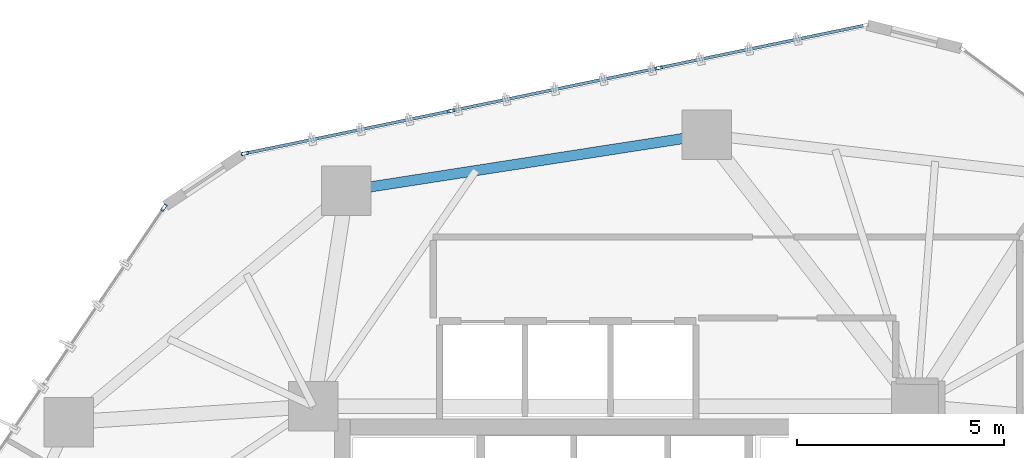
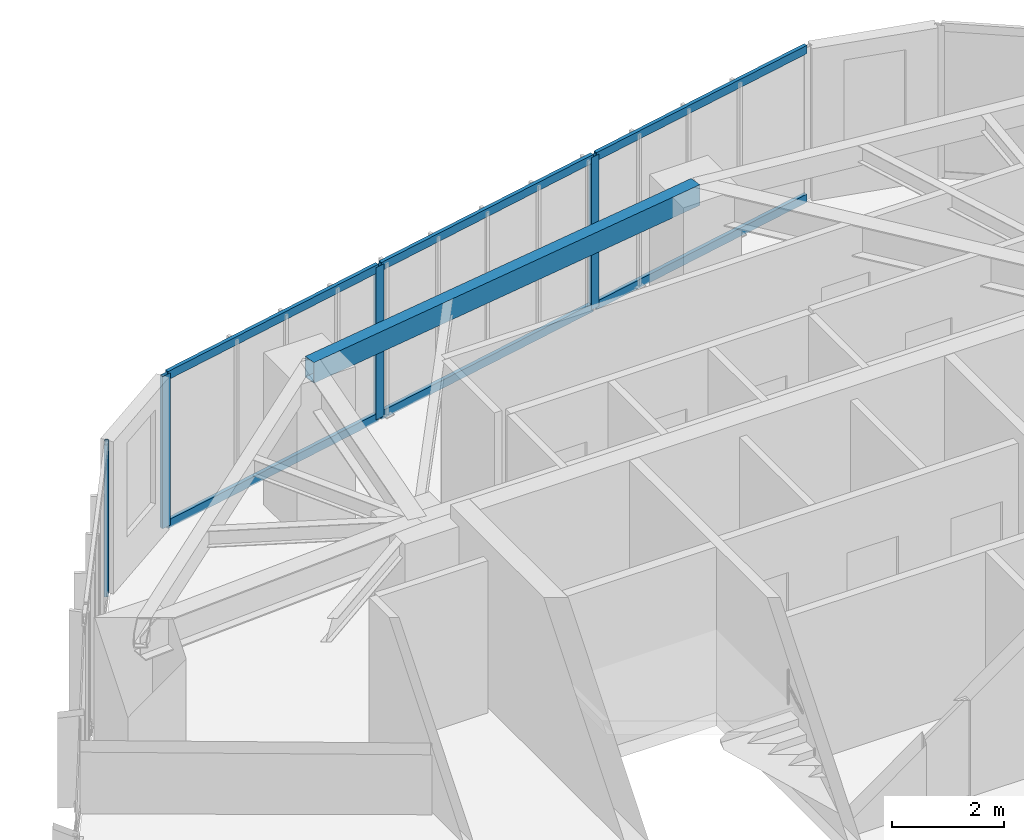
# One storey, part 14 of 22: 10 members, 1 beam, 2 elements without a shape of their own.
"""IFC4 building model written with IfcOpenShell, lengths in metres."""

import ifcopenshell
import ifcopenshell.guid

model = None  # the IFC model being written
_history = None  # IfcOwnerHistory: only IFC2X3 demands one
_inside = {}  # id of a spatial element -> (the spatial element, [elements in it])
_under = {}  # id of a project, library or spatial element -> (it, [spatial elements below it])
_declared = {}  # id of a project -> (the project, [libraries it declares])
_typed = {}  # id of a type object -> (the type object, [elements of that type])
_made_of = {}  # id of a material, layer set ... -> (it, [elements and type objects made of it])


def new_model(schema):
    """Start an empty IFC model of exactly this schema.

    Asked for "IFC4X3", IfcOpenShell would pick the latest addendum, in which some entities
    have other attributes; the version numbers below select the first issue.
    IFC2X3 requires an IfcOwnerHistory on every rooted entity: one is made here for all.
    """
    global model, _history
    if schema == "IFC4X3":
        model = ifcopenshell.file(schema_version=(4, 3, 0, 0))
    else:
        model = ifcopenshell.file(schema=schema)
    _inside.clear()
    _under.clear()
    _declared.clear()
    _typed.clear()
    _made_of.clear()
    _history = None
    if model.schema == "IFC2X3":
        org = make("IfcOrganization", Name="unknown")
        user = make(
            "IfcPersonAndOrganization",
            ThePerson=make("IfcPerson", FamilyName="unknown"),
            TheOrganization=org,
        )
        app = make(
            "IfcApplication",
            ApplicationDeveloper=org,
            Version="unknown",
            ApplicationFullName="unknown",
            ApplicationIdentifier="unknown",
        )
        _history = make(
            "IfcOwnerHistory",
            OwningUser=user,
            OwningApplication=app,
            ChangeAction="ADDED",
            CreationDate=0,
        )
    return model


def make(cls, **values):
    """One entity of the class cls with the attributes given. An attribute that is None is left unset."""
    return model.create_entity(
        cls, **{name: value for name, value in values.items() if value is not None}
    )


def rooted(cls, **values):
    """An entity with a GlobalId (a new one), such as an element, a storey or a relation."""
    return make(cls, GlobalId=ifcopenshell.guid.new(), OwnerHistory=_history, **values)


def si_unit(unit_type, name, prefix=None):
    """IfcSIUnit, for example si_unit("LENGTHUNIT", "METRE", prefix="MILLI")."""
    return make("IfcSIUnit", UnitType=unit_type, Prefix=prefix, Name=name)


def assignment(units):
    """IfcUnitAssignment: the units of a project."""
    return None if units is None else make("IfcUnitAssignment", Units=units)


def point(xyz):
    """IfcCartesianPoint."""
    return None if xyz is None else make("IfcCartesianPoint", Coordinates=xyz)


def direction(xyz):
    """IfcDirection."""
    return None if xyz is None else make("IfcDirection", DirectionRatios=xyz)


def frame(location, z_axis=None, x_axis=None):
    """IfcAxis2Placement3D, a coordinate frame: its origin and axes. An axis left out is left unset."""
    return make(
        "IfcAxis2Placement3D",
        Location=point(location),
        Axis=direction(z_axis),
        RefDirection=direction(x_axis),
    )


def frame_2d(location, x_axis=None):
    """IfcAxis2Placement2D, a coordinate frame in the plane: its origin and x axis."""
    return make(
        "IfcAxis2Placement2D", Location=point(location), RefDirection=direction(x_axis)
    )


def origin():
    """The frame at (0, 0, 0) with its axes left unset."""
    return frame((0.0, 0.0, 0.0))


def origin_2d():
    """The frame at (0, 0) in the plane with its x axis left unset."""
    return frame_2d((0.0, 0.0))


def place(relative_to, where):
    """IfcLocalPlacement: puts the frame where relative to a parent placement (None: the world)."""
    return make(
        "IfcLocalPlacement", PlacementRelTo=relative_to, RelativePlacement=where
    )


def context(
    kind, dimensions, precision=None, world=None, true_north=None, identifier=None
):
    """IfcGeometricRepresentationContext, for example the 3D "Model" context."""
    return make(
        "IfcGeometricRepresentationContext",
        ContextIdentifier=identifier,
        ContextType=kind,
        CoordinateSpaceDimension=dimensions,
        Precision=precision,
        WorldCoordinateSystem=world,
        TrueNorth=true_north,
    )


def subcontext(parent, identifier, kind, view, scale=None):
    """IfcGeometricRepresentationSubContext, for example "Body" below "Model"."""
    return make(
        "IfcGeometricRepresentationSubContext",
        ContextIdentifier=identifier,
        ContextType=kind,
        ParentContext=parent,
        TargetScale=scale,
        TargetView=view,
    )


def project(units=None, contexts=None):
    """IfcProject with its units and contexts."""
    return rooted(
        "IfcProject",
        Name="project",
        RepresentationContexts=contexts,
        UnitsInContext=assignment(units),
    )


def spatial(cls, under=None, at=None, **own):
    """A site, building, storey or space (cls), placed at a placement, below another one or the project."""
    s = rooted(cls, ObjectPlacement=at, **own)
    if under is not None:
        _under.setdefault(under.id(), (under, []))[1].append(s)
    return s


def profile(cls, at=None, kind="AREA", **sizes):
    """A parametric profile (cls). Its sizes go by their IFC names, for example OverallWidth=200.0."""
    return make(cls, ProfileType=kind, Position=at, **sizes)


def hollow_rectangle(**sizes):
    """IfcRectangleHollowProfileDef."""
    return profile("IfcRectangleHollowProfileDef", **sizes)


def extrude(swept, where, along, depth):
    """IfcExtrudedAreaSolid: the profile swept, set in the frame where, extruded along a direction by depth."""
    return make(
        "IfcExtrudedAreaSolid",
        SweptArea=swept,
        Position=where,
        ExtrudedDirection=direction(along),
        Depth=depth,
    )


def shape(context_of_items, identifier, shape_type, items):
    """IfcShapeRepresentation: the items that make up one representation, for example the "Body"."""
    return make(
        "IfcShapeRepresentation",
        ContextOfItems=context_of_items,
        RepresentationIdentifier=identifier,
        RepresentationType=shape_type,
        Items=items,
    )


def source(mapping_origin, context_of_items, identifier, shape_type, items):
    """IfcRepresentationMap: a shape defined once, which mapped items show again and again."""
    return make(
        "IfcRepresentationMap",
        MappingOrigin=mapping_origin,
        MappedRepresentation=shape(context_of_items, identifier, shape_type, items),
    )


def transform(
    local_origin,
    x_axis=None,
    y_axis=None,
    z_axis=None,
    scale=None,
    scale2=None,
    scale3=None,
    uniform=True,
):
    """IfcCartesianTransformationOperator3D, or its non-uniform kind. x_axis, y_axis, z_axis: its Axis1, 2, 3."""
    if uniform:
        return make(
            "IfcCartesianTransformationOperator3D",
            Axis1=direction(x_axis),
            Axis2=direction(y_axis),
            LocalOrigin=point(local_origin),
            Scale=scale,
            Axis3=direction(z_axis),
        )
    return make(
        "IfcCartesianTransformationOperator3DnonUniform",
        Axis1=direction(x_axis),
        Axis2=direction(y_axis),
        LocalOrigin=point(local_origin),
        Scale=scale,
        Axis3=direction(z_axis),
        Scale2=scale2,
        Scale3=scale3,
    )


def mapped(mapping_source, mapping_target):
    """IfcMappedItem: shows the shape of a source again, moved by a transform."""
    return make(
        "IfcMappedItem", MappingSource=mapping_source, MappingTarget=mapping_target
    )


def material(Name=None, Category=None):
    """IfcMaterial."""
    return make("IfcMaterial", Name=Name, Category=Category)


def layer(
    of_material, thickness, ventilated=None, Name=None, Category=None, Priority=None
):
    """IfcMaterialLayer: one layer of a wall or slab, of a material (None: an air gap)."""
    return make(
        "IfcMaterialLayer",
        Material=of_material,
        LayerThickness=thickness,
        IsVentilated=ventilated,
        Name=Name,
        Category=Category,
        Priority=Priority,
    )


def layer_set(layers, Name=None):
    """IfcMaterialLayerSet."""
    return make("IfcMaterialLayerSet", MaterialLayers=layers, LayerSetName=Name)


def material_profile(
    of_material, cross_section, Name=None, Category=None, Priority=None
):
    """IfcMaterialProfile: a cross section and its material."""
    return make(
        "IfcMaterialProfile",
        Name=Name,
        Material=of_material,
        Profile=cross_section,
        Priority=Priority,
        Category=Category,
    )


def profile_set(profiles, Name=None, composite=None):
    """IfcMaterialProfileSet."""
    return make(
        "IfcMaterialProfileSet",
        Name=Name,
        MaterialProfiles=profiles,
        CompositeProfile=composite,
    )


def made_of(thing, what):
    """Note that an element or type object is made of a material, layer set ...; save() writes the relation."""
    if what is not None:
        _made_of.setdefault(what.id(), (what, []))[1].append(thing)
    return thing


def type_object(cls, material=None, **own):
    """A type object (cls), such as IfcWallType, which elements share."""
    return made_of(rooted(cls, **own), material)


def type_shapes(of_type, sources):
    """Give a type object the sources (RepresentationMaps) that its elements show as mapped items."""
    of_type.RepresentationMaps = sources


def element(
    cls,
    number,
    at=None,
    inside=None,
    cuts=None,
    type_object=None,
    material=None,
    context=None,
    identifier="Body",
    shape_type=None,
    held_by="IfcProductDefinitionShape",
    body=None,
    shapes=None,
    **own,
):
    """One element of the class cls, such as IfcWall. Its Tag is "e" and its number.

    at: its placement. inside: the storey or other place that contains it. cuts: it is an
    opening in that element (IfcRelVoidsElement). A single representation is given by context,
    identifier, shape_type and body (its items); several are given by shapes. held_by: the class
    of the entity that holds the representations. save() writes the other relations.
    """
    e = rooted(cls, Tag="e%d" % number, ObjectPlacement=at, **own)
    if body is not None:
        shapes = [shape(context, identifier, shape_type, body)]
    if shapes is not None:
        e.Representation = make(held_by, Representations=shapes)
    if inside is not None:
        _inside.setdefault(inside.id(), (inside, []))[1].append(e)
    if cuts is not None:
        rooted(
            "IfcRelVoidsElement", RelatingBuildingElement=cuts, RelatedOpeningElement=e
        )
    if type_object is not None:
        _typed.setdefault(type_object.id(), (type_object, []))[1].append(e)
    return made_of(e, material)


def aggregate(whole, parts):
    """IfcRelAggregates: a whole, such as a stair, and the parts it consists of."""
    return rooted("IfcRelAggregates", RelatingObject=whole, RelatedObjects=parts)


def save(model, path):
    """Write the relations noted so far, then the file.

    IfcRelAggregates (storeys below a building ...), IfcRelContainedInSpatialStructure (elements
    in a storey), IfcRelDefinesByType, IfcRelAssociatesMaterial and IfcRelDeclares: one each for
    every whole, place, type object, material and project.
    """
    for whole, parts in _under.values():
        aggregate(whole, parts)
    for where, things in _inside.values():
        rooted(
            "IfcRelContainedInSpatialStructure",
            RelatedElements=things,
            RelatingStructure=where,
        )
    for kind, things in _typed.values():
        rooted("IfcRelDefinesByType", RelatedObjects=things, RelatingType=kind)
    for what, things in _made_of.values():
        rooted("IfcRelAssociatesMaterial", RelatedObjects=things, RelatingMaterial=what)
    for by, libraries in _declared.values():
        rooted("IfcRelDeclares", RelatingContext=by, RelatedDefinitions=libraries)
    model.write(path)


model = new_model("IFC4")

# Units and contexts
model_context = context("Model", 3, precision=1e-05, world=origin(), true_north=direction((0.0, 1.0)))
body_context = subcontext(model_context, "Body", "Model", "MODEL_VIEW")
ifc_project = project(units=[si_unit("LENGTHUNIT", "METRE"), si_unit("AREAUNIT", "SQUARE_METRE"), si_unit("VOLUMEUNIT", "CUBIC_METRE"), si_unit("PLANEANGLEUNIT", "RADIAN"), si_unit("MASSUNIT", "GRAM", prefix="KILO")], contexts=[model_context])

# Site, building, storey
site_placement = place(None, origin())
site = spatial("IfcSite", under=ifc_project, at=site_placement, CompositionType="ELEMENT")
building_placement = place(site_placement, origin())
building = spatial("IfcBuilding", under=site, at=building_placement, Name="Talar Marvaseh", CompositionType="ELEMENT")
storey_placement = place(building_placement, frame((0.0, 0.0, 125.39990234375)))
storey = spatial("IfcBuildingStorey", under=building, at=storey_placement, Name="L32", CompositionType="ELEMENT", Elevation=125.39990234375)

# Beam
ifc_material_1 = material(Name="Steel S355", Category="steel")
ifc_material_profile_1 = material_profile(ifc_material_1, hollow_rectangle(XDim=0.25, YDim=0.449951171875, WallThickness=0.01611328125, at=origin_2d()), Name="RHS450x250x16")
ifc_profile_set_1 = profile_set([ifc_material_profile_1], Name="Steel S355")
beam_type = type_object("IfcBeamType", Name="Zone 2 Perimeter Spandrel Beam RHS450x250x16", PredefinedType="SPANDREL", material=ifc_profile_set_1)
beam_placement = place(storey_placement, frame((19.5009765625, 42.123046875, 3.085205078125), z_axis=(0.988248879948, 0.152853365295, 0.0), x_axis=(-0.152853365295, 0.988248879948, 0.0)))
element("IfcBeam", 1, at=beam_placement, inside=storey, type_object=beam_type, Name="L32 Zone 2 Perimeter Spandrel Beam RHS450x250x16", PredefinedType="SPANDREL", context=body_context, shape_type="SweptSolid", body=[
    extrude(hollow_rectangle(XDim=0.25, YDim=0.449951171875, WallThickness=0.01611328125, at=origin_2d()), origin(), (0.0, 0.0, 1.0), 8.82470703125),
])

# Curtain wall, member
ifc_material_2 = material(Name="Architectural Aluminium", Category="aluminium")
ifc_layer = layer(ifc_material_2, 0.199951171875)
ifc_layer_set = layer_set([ifc_layer], Name="Architectural Aluminium")
curtain_wall_type = type_object("IfcCurtainWallType", Name="Unitised Acoustic Library Curtain Wall Z2", PredefinedType="NOTDEFINED", material=ifc_layer_set)
curtain_wall_1_placement = place(storey_placement, origin())
curtain_wall_1 = element("IfcCurtainWall", 2, at=curtain_wall_1_placement, inside=storey, type_object=curtain_wall_type, Name="L32 Unitised Acoustic Library Curtain Wall Z2", PredefinedType="NOTDEFINED")
ifc_material_profile_2 = material_profile(ifc_material_2, hollow_rectangle(XDim=0.074951171875, YDim=0.179931640625, WallThickness=0.0048828125, at=origin_2d()), Name="RHS180x75x5")
ifc_profile_set_2 = profile_set([ifc_material_profile_2], Name="Architectural Aluminium")
member_type_1 = type_object("IfcMemberType", Name="Unitised Curtain Wall Standard Mullion RHS180x75x5", PredefinedType="MULLION", material=ifc_profile_set_2)
shared_shape_1 = source(origin(), body_context, "Body", "SweptSolid", [
    extrude(hollow_rectangle(XDim=0.074951171875, YDim=0.179931640625, WallThickness=0.0048828125, at=origin_2d()), origin(), (0.0, 0.0, 1.0), 3.31005859375),
])
type_shapes(member_type_1, [shared_shape_1])
member_1_placement = place(storey_placement, frame((15.086181640625, 41.710205078125, 0.0), z_axis=(0.0, 0.0, 1.0), x_axis=(-0.827258343786, 0.561821708939, 0.0)))
member_1 = element("IfcMember", 3, at=member_1_placement, type_object=member_type_1, Name="CW-Z2 mullion 4", PredefinedType="MULLION", context=body_context, shape_type="MappedRepresentation", body=[
    mapped(shared_shape_1, transform((0.0, 0.0, 0.0), x_axis=(1.0, 0.0, 0.0), y_axis=(0.0, 1.0, 0.0), z_axis=(0.0, 0.0, 1.0), scale=1.0)),
])
aggregate(curtain_wall_1, [member_1])

# Curtain wall, members
curtain_wall_2_placement = place(storey_placement, origin())
curtain_wall_2 = element("IfcCurtainWall", 4, at=curtain_wall_2_placement, inside=storey, type_object=curtain_wall_type, Name="L32 Unitised Acoustic Library Curtain Wall Z2", PredefinedType="NOTDEFINED")
member_2_placement = place(storey_placement, frame((17.048095703125, 43.021240234375, 0.0), z_axis=(0.0, 0.0, 1.0), x_axis=(-0.202479694695, 0.979286461275, 0.0)))
member_2 = element("IfcMember", 5, at=member_2_placement, type_object=member_type_1, Name="CW-Z2 mullion 1", PredefinedType="MULLION", context=body_context, shape_type="MappedRepresentation", body=[
    mapped(shared_shape_1, transform((0.0, 0.0, 0.0), x_axis=(1.0, 0.0, 0.0), y_axis=(0.0, 1.0, 0.0), z_axis=(0.0, 0.0, 1.0), scale=1.0)),
])
member_3_placement = place(storey_placement, frame((22.03515625, 44.05224609375, 0.0), z_axis=(0.0, 0.0, 1.0), x_axis=(-0.202479694695, 0.979286461275, 0.0)))
member_3 = element("IfcMember", 6, at=member_3_placement, type_object=member_type_1, Name="CW-Z2 mullion 2", PredefinedType="MULLION", context=body_context, shape_type="MappedRepresentation", body=[
    mapped(shared_shape_1, transform((0.0, 0.0, 0.0), x_axis=(1.0, 0.0, 0.0), y_axis=(0.0, 1.0, 0.0), z_axis=(0.0, 0.0, 1.0), scale=1.0)),
])
member_4_placement = place(storey_placement, frame((27.05908203125, 45.091064453125, 0.0), z_axis=(0.0, 0.0, 1.0), x_axis=(-0.202479694695, 0.979286461275, 0.0)))
member_4 = element("IfcMember", 7, at=member_4_placement, type_object=member_type_1, Name="CW-Z2 mullion 3", PredefinedType="MULLION", context=body_context, shape_type="MappedRepresentation", body=[
    mapped(shared_shape_1, transform((0.0, 0.0, 0.0), x_axis=(1.0, 0.0, 0.0), y_axis=(0.0, 1.0, 0.0), z_axis=(0.0, 0.0, 1.0), scale=1.0)),
])
ifc_material_profile_3 = material_profile(ifc_material_2, hollow_rectangle(XDim=0.074951171875, YDim=0.179931640625, WallThickness=0.0048828125, at=origin_2d()), Name="RHS180x75x5")
ifc_profile_set_3 = profile_set([ifc_material_profile_3], Name="Architectural Aluminium")
member_type_2 = type_object("IfcMemberType", Name="Unitised Curtain Wall Transom RHS180x75x5", PredefinedType="USERDEFINED", material=ifc_profile_set_3)
shared_shape_2 = source(origin(), body_context, "Body", "SweptSolid", [
    extrude(hollow_rectangle(XDim=0.074951171875, YDim=0.179931640625, WallThickness=0.0048828125, at=origin_2d()), origin(), (0.0, 0.0, 1.0), 5.017578125),
])
member_5_placement = place(storey_placement, frame((17.0849609375, 43.02880859375, 0.03759765625), z_axis=(0.979289371231, 0.202465620277, 0.0), x_axis=(-0.202465620277, 0.979289371231, 0.0)))
member_5 = element("IfcMember", 8, at=member_5_placement, type_object=member_type_2, Name="CW-Z2 transom 1.1", ObjectType="TRANSOM", PredefinedType="USERDEFINED", context=body_context, shape_type="MappedRepresentation", body=[
    mapped(shared_shape_2, transform((0.0, 0.0, 0.0), x_axis=(1.0, 0.0, 0.0), y_axis=(0.0, 1.0, 0.0), z_axis=(0.0, 0.0, 1.0), scale=1.0)),
])
member_6_placement = place(storey_placement, frame((17.0849609375, 43.02880859375, 3.272705078125), z_axis=(0.979289371231, 0.202465620277, 0.0), x_axis=(-0.202465620277, 0.979289371231, 0.0)))
member_6 = element("IfcMember", 9, at=member_6_placement, type_object=member_type_2, Name="CW-Z2 transom 1.2", ObjectType="TRANSOM", PredefinedType="USERDEFINED", context=body_context, shape_type="MappedRepresentation", body=[
    mapped(shared_shape_2, transform((0.0, 0.0, 0.0), x_axis=(1.0, 0.0, 0.0), y_axis=(0.0, 1.0, 0.0), z_axis=(0.0, 0.0, 1.0), scale=1.0)),
])
member_7_placement = place(storey_placement, frame((27.095703125, 45.0986328125, 0.03759765625), z_axis=(0.979289371231, 0.202465620277, 0.0), x_axis=(-0.202465620277, 0.979289371231, 0.0)))
member_7 = element("IfcMember", 10, at=member_7_placement, type_object=member_type_2, Name="CW-Z2 transom 3.1", ObjectType="TRANSOM", PredefinedType="USERDEFINED", context=body_context, shape_type="MappedRepresentation", body=[
    mapped(shared_shape_2, transform((0.0, 0.0, 0.0), x_axis=(1.0, 0.0, 0.0), y_axis=(0.0, 1.0, 0.0), z_axis=(0.0, 0.0, 1.0), scale=1.0)),
])
member_8_placement = place(storey_placement, frame((27.095703125, 45.0986328125, 3.272705078125), z_axis=(0.979289371231, 0.202465620277, 0.0), x_axis=(-0.202465620277, 0.979289371231, 0.0)))
member_8 = element("IfcMember", 11, at=member_8_placement, type_object=member_type_2, Name="CW-Z2 transom 3.2", ObjectType="TRANSOM", PredefinedType="USERDEFINED", context=body_context, shape_type="MappedRepresentation", body=[
    mapped(shared_shape_2, transform((0.0, 0.0, 0.0), x_axis=(1.0, 0.0, 0.0), y_axis=(0.0, 1.0, 0.0), z_axis=(0.0, 0.0, 1.0), scale=1.0)),
])
shared_shape_3 = source(origin(), body_context, "Body", "SweptSolid", [
    extrude(hollow_rectangle(XDim=0.074951171875, YDim=0.179931640625, WallThickness=0.0048828125, at=origin_2d()), origin(), (0.0, 0.0, 1.0), 5.054931640625),
])
type_shapes(member_type_2, [shared_shape_2, shared_shape_3])
member_9_placement = place(storey_placement, frame((22.072021484375, 44.059814453125, 0.03759765625), z_axis=(0.979279910198, 0.202511376182, 0.0), x_axis=(-0.202511376182, 0.979279910198, 0.0)))
member_9 = element("IfcMember", 12, at=member_9_placement, type_object=member_type_2, Name="CW-Z2 transom 2.1", ObjectType="TRANSOM", PredefinedType="USERDEFINED", context=body_context, shape_type="MappedRepresentation", body=[
    mapped(shared_shape_3, transform((0.0, 0.0, 0.0), x_axis=(1.0, 0.0, 0.0), y_axis=(0.0, 1.0, 0.0), z_axis=(0.0, 0.0, 1.0), scale=1.0)),
])
member_10_placement = place(storey_placement, frame((22.072021484375, 44.059814453125, 3.272705078125), z_axis=(0.979279910198, 0.202511376182, 0.0), x_axis=(-0.202511376182, 0.979279910198, 0.0)))
member_10 = element("IfcMember", 13, at=member_10_placement, type_object=member_type_2, Name="CW-Z2 transom 2.2", ObjectType="TRANSOM", PredefinedType="USERDEFINED", context=body_context, shape_type="MappedRepresentation", body=[
    mapped(shared_shape_3, transform((0.0, 0.0, 0.0), x_axis=(1.0, 0.0, 0.0), y_axis=(0.0, 1.0, 0.0), z_axis=(0.0, 0.0, 1.0), scale=1.0)),
])
aggregate(curtain_wall_2, [member_2, member_3, member_4, member_5, member_6, member_9, member_10, member_7, member_8])

save(model, "model.ifc")
